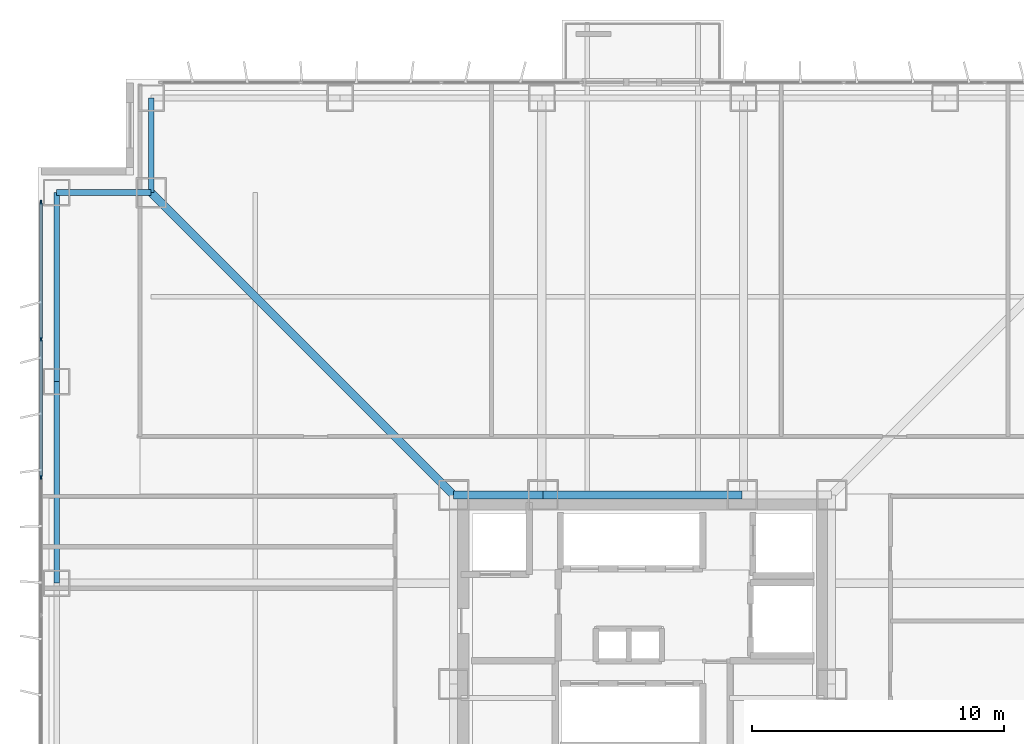
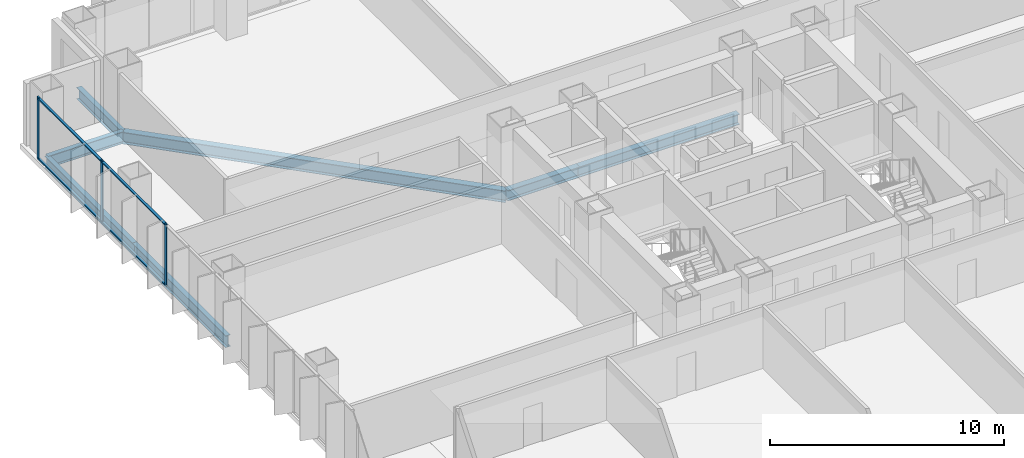
# One storey, part 9 of 21: 7 beams, 7 members, 1 element without a shape of its own.
"""IFC4 building model written with IfcOpenShell, lengths in metres."""

import ifcopenshell
import ifcopenshell.guid

model = None  # the IFC model being written
_history = None  # IfcOwnerHistory: only IFC2X3 demands one
_inside = {}  # id of a spatial element -> (the spatial element, [elements in it])
_under = {}  # id of a project, library or spatial element -> (it, [spatial elements below it])
_declared = {}  # id of a project -> (the project, [libraries it declares])
_typed = {}  # id of a type object -> (the type object, [elements of that type])
_made_of = {}  # id of a material, layer set ... -> (it, [elements and type objects made of it])


def new_model(schema):
    """Start an empty IFC model of exactly this schema.

    Asked for "IFC4X3", IfcOpenShell would pick the latest addendum, in which some entities
    have other attributes; the version numbers below select the first issue.
    IFC2X3 requires an IfcOwnerHistory on every rooted entity: one is made here for all.
    """
    global model, _history
    if schema == "IFC4X3":
        model = ifcopenshell.file(schema_version=(4, 3, 0, 0))
    else:
        model = ifcopenshell.file(schema=schema)
    _inside.clear()
    _under.clear()
    _declared.clear()
    _typed.clear()
    _made_of.clear()
    _history = None
    if model.schema == "IFC2X3":
        org = make("IfcOrganization", Name="unknown")
        user = make(
            "IfcPersonAndOrganization",
            ThePerson=make("IfcPerson", FamilyName="unknown"),
            TheOrganization=org,
        )
        app = make(
            "IfcApplication",
            ApplicationDeveloper=org,
            Version="unknown",
            ApplicationFullName="unknown",
            ApplicationIdentifier="unknown",
        )
        _history = make(
            "IfcOwnerHistory",
            OwningUser=user,
            OwningApplication=app,
            ChangeAction="ADDED",
            CreationDate=0,
        )
    return model


def make(cls, **values):
    """One entity of the class cls with the attributes given. An attribute that is None is left unset."""
    return model.create_entity(
        cls, **{name: value for name, value in values.items() if value is not None}
    )


def rooted(cls, **values):
    """An entity with a GlobalId (a new one), such as an element, a storey or a relation."""
    return make(cls, GlobalId=ifcopenshell.guid.new(), OwnerHistory=_history, **values)


def si_unit(unit_type, name, prefix=None):
    """IfcSIUnit, for example si_unit("LENGTHUNIT", "METRE", prefix="MILLI")."""
    return make("IfcSIUnit", UnitType=unit_type, Prefix=prefix, Name=name)


def assignment(units):
    """IfcUnitAssignment: the units of a project."""
    return None if units is None else make("IfcUnitAssignment", Units=units)


def point(xyz):
    """IfcCartesianPoint."""
    return None if xyz is None else make("IfcCartesianPoint", Coordinates=xyz)


def direction(xyz):
    """IfcDirection."""
    return None if xyz is None else make("IfcDirection", DirectionRatios=xyz)


def frame(location, z_axis=None, x_axis=None):
    """IfcAxis2Placement3D, a coordinate frame: its origin and axes. An axis left out is left unset."""
    return make(
        "IfcAxis2Placement3D",
        Location=point(location),
        Axis=direction(z_axis),
        RefDirection=direction(x_axis),
    )


def frame_2d(location, x_axis=None):
    """IfcAxis2Placement2D, a coordinate frame in the plane: its origin and x axis."""
    return make(
        "IfcAxis2Placement2D", Location=point(location), RefDirection=direction(x_axis)
    )


def origin():
    """The frame at (0, 0, 0) with its axes left unset."""
    return frame((0.0, 0.0, 0.0))


def origin_2d():
    """The frame at (0, 0) in the plane with its x axis left unset."""
    return frame_2d((0.0, 0.0))


def place(relative_to, where):
    """IfcLocalPlacement: puts the frame where relative to a parent placement (None: the world)."""
    return make(
        "IfcLocalPlacement", PlacementRelTo=relative_to, RelativePlacement=where
    )


def context(
    kind, dimensions, precision=None, world=None, true_north=None, identifier=None
):
    """IfcGeometricRepresentationContext, for example the 3D "Model" context."""
    return make(
        "IfcGeometricRepresentationContext",
        ContextIdentifier=identifier,
        ContextType=kind,
        CoordinateSpaceDimension=dimensions,
        Precision=precision,
        WorldCoordinateSystem=world,
        TrueNorth=true_north,
    )


def subcontext(parent, identifier, kind, view, scale=None):
    """IfcGeometricRepresentationSubContext, for example "Body" below "Model"."""
    return make(
        "IfcGeometricRepresentationSubContext",
        ContextIdentifier=identifier,
        ContextType=kind,
        ParentContext=parent,
        TargetScale=scale,
        TargetView=view,
    )


def project(units=None, contexts=None):
    """IfcProject with its units and contexts."""
    return rooted(
        "IfcProject",
        Name="project",
        RepresentationContexts=contexts,
        UnitsInContext=assignment(units),
    )


def spatial(cls, under=None, at=None, **own):
    """A site, building, storey or space (cls), placed at a placement, below another one or the project."""
    s = rooted(cls, ObjectPlacement=at, **own)
    if under is not None:
        _under.setdefault(under.id(), (under, []))[1].append(s)
    return s


def profile(cls, at=None, kind="AREA", **sizes):
    """A parametric profile (cls). Its sizes go by their IFC names, for example OverallWidth=200.0."""
    return make(cls, ProfileType=kind, Position=at, **sizes)


def rectangle(**sizes):
    """IfcRectangleProfileDef."""
    return profile("IfcRectangleProfileDef", **sizes)


def i_section(**sizes):
    """IfcIShapeProfileDef."""
    return profile("IfcIShapeProfileDef", **sizes)


def extrude(swept, where, along, depth):
    """IfcExtrudedAreaSolid: the profile swept, set in the frame where, extruded along a direction by depth."""
    return make(
        "IfcExtrudedAreaSolid",
        SweptArea=swept,
        Position=where,
        ExtrudedDirection=direction(along),
        Depth=depth,
    )


def shape(context_of_items, identifier, shape_type, items):
    """IfcShapeRepresentation: the items that make up one representation, for example the "Body"."""
    return make(
        "IfcShapeRepresentation",
        ContextOfItems=context_of_items,
        RepresentationIdentifier=identifier,
        RepresentationType=shape_type,
        Items=items,
    )


def material(Name=None, Category=None):
    """IfcMaterial."""
    return make("IfcMaterial", Name=Name, Category=Category)


def layer(
    of_material, thickness, ventilated=None, Name=None, Category=None, Priority=None
):
    """IfcMaterialLayer: one layer of a wall or slab, of a material (None: an air gap)."""
    return make(
        "IfcMaterialLayer",
        Material=of_material,
        LayerThickness=thickness,
        IsVentilated=ventilated,
        Name=Name,
        Category=Category,
        Priority=Priority,
    )


def layer_set(layers, Name=None):
    """IfcMaterialLayerSet."""
    return make("IfcMaterialLayerSet", MaterialLayers=layers, LayerSetName=Name)


def material_profile(
    of_material, cross_section, Name=None, Category=None, Priority=None
):
    """IfcMaterialProfile: a cross section and its material."""
    return make(
        "IfcMaterialProfile",
        Name=Name,
        Material=of_material,
        Profile=cross_section,
        Priority=Priority,
        Category=Category,
    )


def profile_set(profiles, Name=None, composite=None):
    """IfcMaterialProfileSet."""
    return make(
        "IfcMaterialProfileSet",
        Name=Name,
        MaterialProfiles=profiles,
        CompositeProfile=composite,
    )


def made_of(thing, what):
    """Note that an element or type object is made of a material, layer set ...; save() writes the relation."""
    if what is not None:
        _made_of.setdefault(what.id(), (what, []))[1].append(thing)
    return thing


def type_object(cls, material=None, **own):
    """A type object (cls), such as IfcWallType, which elements share."""
    return made_of(rooted(cls, **own), material)


def element(
    cls,
    number,
    at=None,
    inside=None,
    cuts=None,
    type_object=None,
    material=None,
    context=None,
    identifier="Body",
    shape_type=None,
    held_by="IfcProductDefinitionShape",
    body=None,
    shapes=None,
    **own,
):
    """One element of the class cls, such as IfcWall. Its Tag is "e" and its number.

    at: its placement. inside: the storey or other place that contains it. cuts: it is an
    opening in that element (IfcRelVoidsElement). A single representation is given by context,
    identifier, shape_type and body (its items); several are given by shapes. held_by: the class
    of the entity that holds the representations. save() writes the other relations.
    """
    e = rooted(cls, Tag="e%d" % number, ObjectPlacement=at, **own)
    if body is not None:
        shapes = [shape(context, identifier, shape_type, body)]
    if shapes is not None:
        e.Representation = make(held_by, Representations=shapes)
    if inside is not None:
        _inside.setdefault(inside.id(), (inside, []))[1].append(e)
    if cuts is not None:
        rooted(
            "IfcRelVoidsElement", RelatingBuildingElement=cuts, RelatedOpeningElement=e
        )
    if type_object is not None:
        _typed.setdefault(type_object.id(), (type_object, []))[1].append(e)
    return made_of(e, material)


def aggregate(whole, parts):
    """IfcRelAggregates: a whole, such as a stair, and the parts it consists of."""
    return rooted("IfcRelAggregates", RelatingObject=whole, RelatedObjects=parts)


def save(model, path):
    """Write the relations noted so far, then the file.

    IfcRelAggregates (storeys below a building ...), IfcRelContainedInSpatialStructure (elements
    in a storey), IfcRelDefinesByType, IfcRelAssociatesMaterial and IfcRelDeclares: one each for
    every whole, place, type object, material and project.
    """
    for whole, parts in _under.values():
        aggregate(whole, parts)
    for where, things in _inside.values():
        rooted(
            "IfcRelContainedInSpatialStructure",
            RelatedElements=things,
            RelatingStructure=where,
        )
    for kind, things in _typed.values():
        rooted("IfcRelDefinesByType", RelatedObjects=things, RelatingType=kind)
    for what, things in _made_of.values():
        rooted("IfcRelAssociatesMaterial", RelatedObjects=things, RelatingMaterial=what)
    for by, libraries in _declared.values():
        rooted("IfcRelDeclares", RelatingContext=by, RelatedDefinitions=libraries)
    model.write(path)


model = new_model("IFC4")

# Units and contexts
model_context = context("Model", 3, precision=1e-05, world=origin(), true_north=direction((0.0, 1.0)))
body_context = subcontext(model_context, "Body", "Model", "MODEL_VIEW")
ifc_project = project(units=[si_unit("LENGTHUNIT", "METRE"), si_unit("AREAUNIT", "SQUARE_METRE"), si_unit("VOLUMEUNIT", "CUBIC_METRE"), si_unit("PLANEANGLEUNIT", "RADIAN"), si_unit("MASSUNIT", "GRAM", prefix="KILO")], contexts=[model_context])

# Site, building, storey
site_placement = place(None, origin())
site = spatial("IfcSite", under=ifc_project, at=site_placement, CompositionType="ELEMENT")
building_placement = place(site_placement, origin())
building = spatial("IfcBuilding", under=site, at=building_placement, Name="Trevonay Congress Spire", CompositionType="ELEMENT")
storey_placement = place(building_placement, frame((0.0, 0.0, 37.5)))
storey = spatial("IfcBuildingStorey", under=building, at=storey_placement, Name="L08", CompositionType="ELEMENT", Elevation=37.5)

# Beams
ifc_material_1 = material(Name="Steel ASTM A572 Grade 50", Category="steel")
ifc_material_profile_1 = material_profile(ifc_material_1, i_section(OverallWidth=0.31201171875, OverallDepth=0.54296875, WebThickness=0.0126953125, FlangeThickness=0.020263671875, FilletRadius=0.014892578125, at=origin_2d()), Name="W530x150")
ifc_profile_set_1 = profile_set([ifc_material_profile_1], Name="Steel ASTM A572 Grade 50")
beam_type_1 = type_object("IfcBeamType", Name="BM-GIRD-W530X150", PredefinedType="BEAM", material=ifc_profile_set_1)
beam_1_placement = place(storey_placement, frame((-7.5, 7.5, -0.521484375), z_axis=(1.0, 0.0, 0.0), x_axis=(0.0, 1.0, 0.0)))
element("IfcBeam", 1, at=beam_1_placement, inside=storey, type_object=beam_type_1, Name="L08 structural beam BM-L08-CR-N1", PredefinedType="BEAM", context=body_context, shape_type="SweptSolid", body=[
    extrude(i_section(OverallWidth=0.31201171875, OverallDepth=0.54296875, WebThickness=0.0126953125, FlangeThickness=0.020263671875, FilletRadius=0.014892578125, at=origin_2d()), origin(), (0.0, 0.0, 1.0), 3.550048828125),
])
beam_2_placement = place(storey_placement, frame((-3.949951171875, 7.5, -0.521484375), z_axis=(1.0, 0.0, 0.0), x_axis=(0.0, 1.0, 0.0)))
element("IfcBeam", 2, at=beam_2_placement, inside=storey, type_object=beam_type_1, Name="L08 structural beam BM-L08-CR-N2", PredefinedType="BEAM", context=body_context, shape_type="SweptSolid", body=[
    extrude(i_section(OverallWidth=0.31201171875, OverallDepth=0.54296875, WebThickness=0.0126953125, FlangeThickness=0.020263671875, FilletRadius=0.014892578125, at=origin_2d()), origin(), (0.0, 0.0, 1.0), 7.89990234375),
])
ifc_material_profile_2 = material_profile(ifc_material_1, i_section(OverallWidth=0.324951171875, OverallDepth=0.615966796875, WebThickness=0.013916015625, FlangeThickness=0.021484375, FilletRadius=0.01806640625, at=origin_2d()), Name="W610x174")
ifc_profile_set_2 = profile_set([ifc_material_profile_2], Name="Steel ASTM A572 Grade 50")
beam_type_2 = type_object("IfcBeamType", Name="BM-GIRD-W610X174", PredefinedType="BEAM", material=ifc_profile_set_2)
beam_3_placement = place(storey_placement, frame((-7.5, 7.5, -0.55810546875), z_axis=(-0.707106781187, 0.707106781187, 0.0), x_axis=(-0.707106781187, -0.707106781187, 0.0)))
element("IfcBeam", 3, at=beam_3_placement, inside=storey, type_object=beam_type_2, Name="L08 structural beam BM-L08-CDNW", PredefinedType="BEAM", context=body_context, shape_type="SweptSolid", body=[
    extrude(i_section(OverallWidth=0.324951171875, OverallDepth=0.615966796875, WebThickness=0.013916015625, FlangeThickness=0.021484375, FilletRadius=0.01806640625, at=origin_2d()), origin(), (0.0, 0.0, 1.0), 16.970458984375),
])
ifc_material_profile_3 = material_profile(ifc_material_1, i_section(OverallWidth=0.22998046875, OverallDepth=0.616943359375, WebThickness=0.01318359375, FlangeThickness=0.022216796875, FilletRadius=0.01611328125, at=origin_2d()), Name="W610x140")
ifc_profile_set_3 = profile_set([ifc_material_profile_3], Name="Steel ASTM A572 Grade 50")
beam_type_3 = type_object("IfcBeamType", Name="BM-RING-W610X140", PredefinedType="BEAM", material=ifc_profile_set_3)
beam_4_placement = place(storey_placement, frame((-23.25, 4.0, -0.55859375), z_axis=(0.0, 1.0, 0.0), x_axis=(-1.0, 0.0, 0.0)))
element("IfcBeam", 4, at=beam_4_placement, inside=storey, type_object=beam_type_3, Name="L08 structural beam BM-L08-PW4", PredefinedType="BEAM", context=body_context, shape_type="SweptSolid", body=[
    extrude(i_section(OverallWidth=0.22998046875, OverallDepth=0.616943359375, WebThickness=0.01318359375, FlangeThickness=0.022216796875, FilletRadius=0.01611328125, at=origin_2d()), origin(), (0.0, 0.0, 1.0), 8.0),
])
beam_5_placement = place(storey_placement, frame((-23.25, 12.0, -0.55859375), z_axis=(0.0, 1.0, 0.0), x_axis=(-1.0, 0.0, 0.0)))
element("IfcBeam", 5, at=beam_5_placement, inside=storey, type_object=beam_type_3, Name="L08 structural beam BM-L08-PW5", PredefinedType="BEAM", context=body_context, shape_type="SweptSolid", body=[
    extrude(i_section(OverallWidth=0.22998046875, OverallDepth=0.616943359375, WebThickness=0.01318359375, FlangeThickness=0.022216796875, FilletRadius=0.01611328125, at=origin_2d()), origin(), (0.0, 0.0, 1.0), 7.5),
])
for number, where, z_axis, x_axis, name in (
    (6, (-19.5, 23.25, -0.55859375), (0.0, -1.0, 0.0), (1.0, 0.0, 0.0), "L08 structural beam BM-L08-N1NW"),
    (7, (-23.25, 19.5, -0.55859375), (1.0, 0.0, 0.0), (0.0, 1.0, 0.0), "L08 structural beam BM-L08-N2NW"),
):
    element("IfcBeam", number, at=place(storey_placement, frame(where, z_axis=z_axis, x_axis=x_axis)), inside=storey, type_object=beam_type_3, Name=name, PredefinedType="BEAM", context=body_context, shape_type="SweptSolid", body=[
        extrude(i_section(OverallWidth=0.22998046875, OverallDepth=0.616943359375, WebThickness=0.01318359375, FlangeThickness=0.022216796875, FilletRadius=0.01611328125, at=origin_2d()), origin(), (0.0, 0.0, 1.0), 3.75),
    ])

# Curtain wall, members
ifc_material_2 = material(Name="Pale Anodised Aluminium EN AW-6063-T6", Category="aluminium")
ifc_layer = layer(ifc_material_2, 0.179931640625, Name="Pale Anodised Aluminium EN AW-6063-T6")
ifc_layer_set = layer_set([ifc_layer], Name="Pale Anodised Aluminium EN AW-6063-T6")
curtain_wall_type = type_object("IfcCurtainWallType", Name="CW-SYS02-HOTEL-PALE-METAL", PredefinedType="NOTDEFINED", material=ifc_layer_set)
curtain_wall_placement = place(storey_placement, origin())
curtain_wall = element("IfcCurtainWall", 8, at=curtain_wall_placement, inside=storey, type_object=curtain_wall_type, Name="L08 W unitised curtain wall", PredefinedType="NOTDEFINED")
ifc_material_profile_4 = material_profile(ifc_material_2, rectangle(XDim=0.06005859375, YDim=0.159912109375, at=origin_2d()), Name="CW-MULLION-160-ALUMINIUM")
ifc_profile_set_4 = profile_set([ifc_material_profile_4], Name="Pale Anodised Aluminium EN AW-6063-T6")
member_type_1 = type_object("IfcMemberType", Name="CW-MULLION-160-ALUMINIUM", PredefinedType="MULLION", material=ifc_profile_set_4)
member_1_placement = place(storey_placement, frame((-23.8798828125, 8.20703125, 0.0), z_axis=(0.0, 0.0, 1.0), x_axis=(-1.0, 0.0, 0.0)))
member_1 = element("IfcMember", 9, at=member_1_placement, type_object=member_type_1, Name="CW02 mullion 6", PredefinedType="MULLION", context=body_context, shape_type="SweptSolid", body=[
    extrude(rectangle(XDim=0.06005859375, YDim=0.159912109375, at=origin_2d()), origin(), (0.0, 0.0, 1.0), 3.25),
])
member_2_placement = place(storey_placement, frame((-23.8798828125, 13.678466796875, 0.0), z_axis=(0.0, 0.0, 1.0), x_axis=(-1.0, 0.0, 0.0)))
member_2 = element("IfcMember", 10, at=member_2_placement, type_object=member_type_1, Name="CW02 mullion 7", PredefinedType="MULLION", context=body_context, shape_type="SweptSolid", body=[
    extrude(rectangle(XDim=0.06005859375, YDim=0.159912109375, at=origin_2d()), origin(), (0.0, 0.0, 1.0), 3.25),
])
member_3_placement = place(storey_placement, frame((-23.8798828125, 19.1201171875, 0.0), z_axis=(0.0, 0.0, 1.0), x_axis=(-1.0, 0.0, 0.0)))
member_3 = element("IfcMember", 11, at=member_3_placement, type_object=member_type_1, Name="CW02 mullion 8", PredefinedType="MULLION", context=body_context, shape_type="SweptSolid", body=[
    extrude(rectangle(XDim=0.06005859375, YDim=0.159912109375, at=origin_2d()), origin(), (0.0, 0.0, 1.0), 3.25),
])
ifc_material_profile_5 = material_profile(ifc_material_2, rectangle(XDim=0.1201171875, YDim=0.06005859375, at=origin_2d()), Name="CW-TRANSOM-120-ALUMINIUM")
ifc_profile_set_5 = profile_set([ifc_material_profile_5], Name="Pale Anodised Aluminium EN AW-6063-T6")
member_type_2 = type_object("IfcMemberType", Name="CW-TRANSOM-120-ALUMINIUM", PredefinedType="USERDEFINED", material=ifc_profile_set_5)
member_4_placement = place(storey_placement, frame((-23.8798828125, 8.237060546875, 0.06005859375), z_axis=(0.0, 1.0, 0.0), x_axis=(-1.0, 0.0, 0.0)))
member_4 = element("IfcMember", 12, at=member_4_placement, type_object=member_type_2, Name="CW02 transom 6.1", ObjectType="TRANSOM", PredefinedType="USERDEFINED", context=body_context, shape_type="SweptSolid", body=[
    extrude(rectangle(XDim=0.1201171875, YDim=0.06005859375, at=origin_2d()), origin(), (0.0, 0.0, 1.0), 5.41162109375),
])
member_5_placement = place(storey_placement, frame((-23.8798828125, 8.237060546875, 3.18994140625), z_axis=(0.0, 1.0, 0.0), x_axis=(-1.0, 0.0, 0.0)))
member_5 = element("IfcMember", 13, at=member_5_placement, type_object=member_type_2, Name="CW02 transom 6.2", ObjectType="TRANSOM", PredefinedType="USERDEFINED", context=body_context, shape_type="SweptSolid", body=[
    extrude(rectangle(XDim=0.1201171875, YDim=0.06005859375, at=origin_2d()), origin(), (0.0, 0.0, 1.0), 5.41162109375),
])
member_6_placement = place(storey_placement, frame((-23.8798828125, 13.70849609375, 0.06005859375), z_axis=(0.0, 1.0, 0.0), x_axis=(-1.0, 0.0, 0.0)))
member_6 = element("IfcMember", 14, at=member_6_placement, type_object=member_type_2, Name="CW02 transom 7.1", ObjectType="TRANSOM", PredefinedType="USERDEFINED", context=body_context, shape_type="SweptSolid", body=[
    extrude(rectangle(XDim=0.1201171875, YDim=0.06005859375, at=origin_2d()), origin(), (0.0, 0.0, 1.0), 5.381591796875),
])
member_7_placement = place(storey_placement, frame((-23.8798828125, 13.70849609375, 3.18994140625), z_axis=(0.0, 1.0, 0.0), x_axis=(-1.0, 0.0, 0.0)))
member_7 = element("IfcMember", 15, at=member_7_placement, type_object=member_type_2, Name="CW02 transom 7.2", ObjectType="TRANSOM", PredefinedType="USERDEFINED", context=body_context, shape_type="SweptSolid", body=[
    extrude(rectangle(XDim=0.1201171875, YDim=0.06005859375, at=origin_2d()), origin(), (0.0, 0.0, 1.0), 5.381591796875),
])
aggregate(curtain_wall, [member_1, member_2, member_3, member_4, member_5, member_6, member_7])

save(model, "model.ifc")
